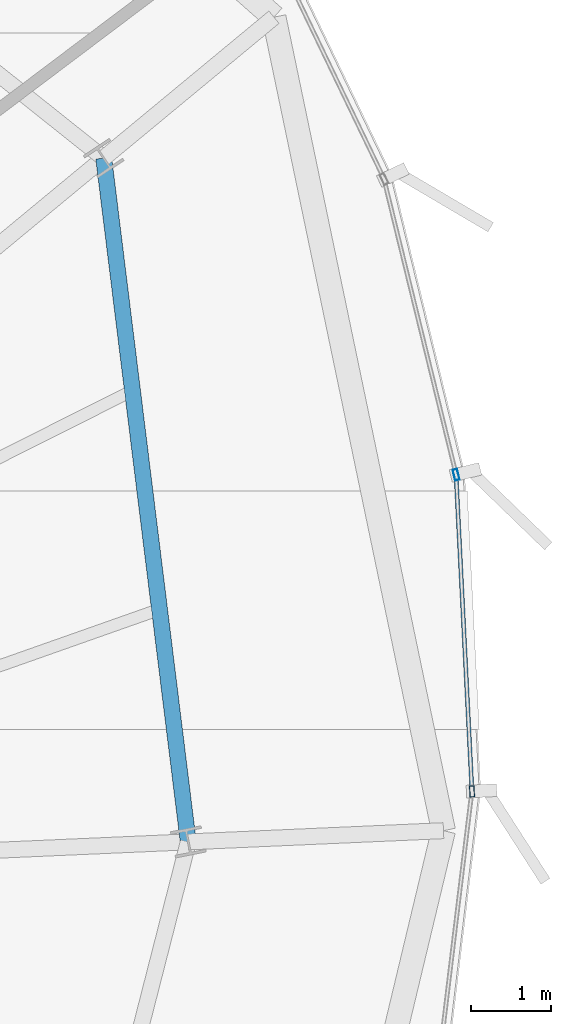
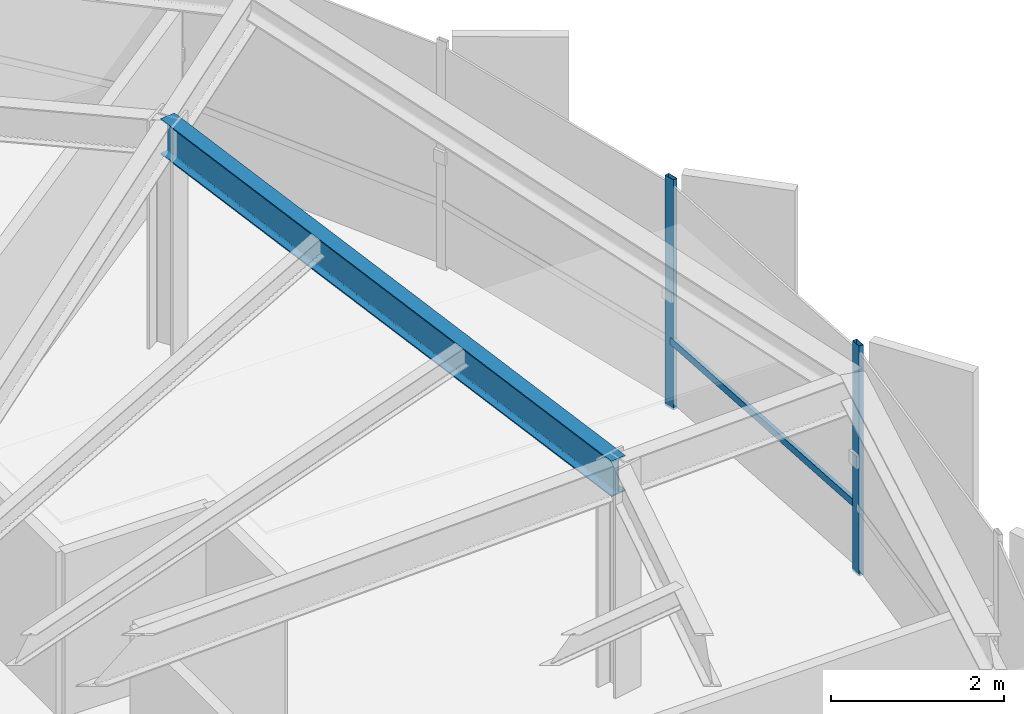
# One storey, part 17 of 34: 3 members, 1 beam, 1 element without a shape of its own.
"""IFC4 building model written with IfcOpenShell, lengths in metres."""

from ifc_helpers import new_model, si_unit, direction, frame, origin, origin_2d, place, context, subcontext, project, spatial, hollow_rectangle, i_section, extrude, source, transform, mapped, material, layer, layer_set, material_profile, profile_set, type_object, element, aggregate, save


model = new_model("IFC4")

# Units and contexts
model_context = context("Model", 3, precision=1e-05, world=origin(), true_north=direction((0.0, 1.0)))
body_context = subcontext(model_context, "Body", "Model", "MODEL_VIEW")
ifc_project = project(units=[si_unit("LENGTHUNIT", "METRE"), si_unit("AREAUNIT", "SQUARE_METRE"), si_unit("VOLUMEUNIT", "CUBIC_METRE"), si_unit("PLANEANGLEUNIT", "RADIAN"), si_unit("MASSUNIT", "GRAM", prefix="KILO"), si_unit("THERMODYNAMICTEMPERATUREUNIT", "KELVIN")], contexts=[model_context])

# Site, building, storey
site_placement = place(None, origin())
site = spatial("IfcSite", under=ifc_project, at=site_placement, CompositionType="ELEMENT")
building_placement = place(site_placement, origin())
building = spatial("IfcBuilding", under=site, at=building_placement, Name="Kethvar Cultural Tower", CompositionType="ELEMENT")
storey_placement = place(building_placement, frame((0.0, 0.0, 214.89990234375)))
storey = spatial("IfcBuildingStorey", under=building, at=storey_placement, Name="L56", CompositionType="ELEMENT", Elevation=214.89990234375)

# Beam
ifc_material_1 = material(Name="Steel S355J2", Category="steel")
ifc_material_profile_1 = material_profile(ifc_material_1, i_section(OverallWidth=0.199951171875, OverallDepth=0.5, WebThickness=0.01025390625, FlangeThickness=0.01611328125, FilletRadius=0.02099609375, at=origin_2d()), Name="Steel S355J2 — IPE500")
ifc_profile_set_1 = profile_set([ifc_material_profile_1], Name="Steel S355J2 — IPE500")
beam_type = type_object("IfcBeamType", Name="BM-IPE500", PredefinedType="BEAM", material=ifc_profile_set_1)
shared_shape_1 = source(origin(), body_context, "Body", "SweptSolid", [
    extrude(i_section(OverallWidth=0.199951171875, OverallDepth=0.5, WebThickness=0.01025390625, FlangeThickness=0.01611328125, FilletRadius=0.02099609375, at=origin_2d()), origin(), (0.0, 0.0, 1.0), 8.6318359375),
])
beam_placement = place(storey_placement, frame((66.56396484375, 31.731201171875, 2.988037109375), z_axis=(-0.122781430908, 0.992433735936, 0.0), x_axis=(-0.992433735936, -0.122781430908, 0.0)))
element("IfcBeam", 1, at=beam_placement, inside=storey, type_object=beam_type, Name="L56 Column Ring Tie Beam CR-01", PredefinedType="BEAM", context=body_context, shape_type="MappedRepresentation", body=[
    mapped(shared_shape_1, transform((0.0, 0.0, 0.0), scale=1.0)),
])

# Curtain wall, members
ifc_material_2 = material(Name="Aluminium 6063-T6", Category="aluminium")
ifc_layer = layer(ifc_material_2, 0.179931640625, Name="Aluminium 6063-T6", Category="aluminium")
ifc_layer_set = layer_set([ifc_layer], Name="Aluminium 6063-T6 (180 mm)")
curtain_wall_type = type_object("IfcCurtainWallType", Name="CW-SYS-04-Z34", PredefinedType="NOTDEFINED", material=ifc_layer_set)
curtain_wall_placement = place(storey_placement, origin())
curtain_wall = element("IfcCurtainWall", 2, at=curtain_wall_placement, inside=storey, type_object=curtain_wall_type, Name="L56 Curtain Wall Run 06", PredefinedType="NOTDEFINED")
ifc_material_profile_2 = material_profile(ifc_material_2, hollow_rectangle(XDim=0.06005859375, YDim=0.139892578125, WallThickness=0.0048828125, at=origin_2d()), Name="Aluminium 6063-T6 — RHS140x60x5")
ifc_profile_set_2 = profile_set([ifc_material_profile_2], Name="Aluminium 6063-T6 — RHS140x60x5")
member_type_1 = type_object("IfcMemberType", Name="CW-SYS-04-Z34-MUL", PredefinedType="MULLION", material=ifc_profile_set_2)
shared_shape_2 = source(origin(), body_context, "Body", "SweptSolid", [
    extrude(hollow_rectangle(XDim=0.06005859375, YDim=0.139892578125, WallThickness=0.0048828125, at=origin_2d()), origin(), (0.0, 0.0, 1.0), 3.239990234375),
])
member_1_placement = place(storey_placement, frame((70.118408203125, 32.36376953125, 0.0), z_axis=(0.0, 0.0, 1.0), x_axis=(-0.99872993144, -0.050383767676, 0.0)))
member_1 = element("IfcMember", 3, at=member_1_placement, type_object=member_type_1, Name="CW-L56-R06 Mullion 3", PredefinedType="MULLION", context=body_context, shape_type="MappedRepresentation", body=[
    mapped(shared_shape_2, transform((0.0, 0.0, 0.0), scale=1.0)),
])
member_2_placement = place(storey_placement, frame((69.920166015625, 36.331298828125, 0.0), z_axis=(0.0, 0.0, 1.0), x_axis=(-0.971441546228, -0.237278996671, 0.0)))
member_2 = element("IfcMember", 4, at=member_2_placement, type_object=member_type_1, Name="CW-L56-R06 Mullion 4", PredefinedType="MULLION", context=body_context, shape_type="MappedRepresentation", body=[
    mapped(shared_shape_2, transform((0.0, 0.0, 0.0), scale=1.0)),
])
ifc_material_profile_3 = material_profile(ifc_material_2, hollow_rectangle(XDim=0.050048828125, YDim=0.10009765625, WallThickness=0.00390625, at=origin_2d()), Name="Aluminium 6063-T6 — RHS100x50x4")
ifc_profile_set_3 = profile_set([ifc_material_profile_3], Name="Aluminium 6063-T6 — RHS100x50x4")
member_type_2 = type_object("IfcMemberType", Name="CW-SYS-04-Z34-TRN", PredefinedType="USERDEFINED", material=ifc_profile_set_3)
shared_shape_3 = source(origin(), body_context, "Body", "SweptSolid", [
    extrude(hollow_rectangle(XDim=0.050048828125, YDim=0.10009765625, WallThickness=0.00390625, at=origin_2d()), origin(), (0.0, 0.0, 1.0), 3.906494140625),
])
member_3_placement = place(storey_placement, frame((70.1162109375, 32.406982421875, 0.9501953125), z_axis=(-0.050370868479, 0.998730582093, 0.0), x_axis=(-0.998730582093, -0.050370868479, 0.0)))
member_3 = element("IfcMember", 5, at=member_3_placement, type_object=member_type_2, Name="CW-L56-R06 Transom 3", ObjectType="TRANSOM", PredefinedType="USERDEFINED", context=body_context, shape_type="MappedRepresentation", body=[
    mapped(shared_shape_3, transform((0.0, 0.0, 0.0), scale=1.0)),
])
aggregate(curtain_wall, [member_1, member_2, member_3])

save(model, "model.ifc")
